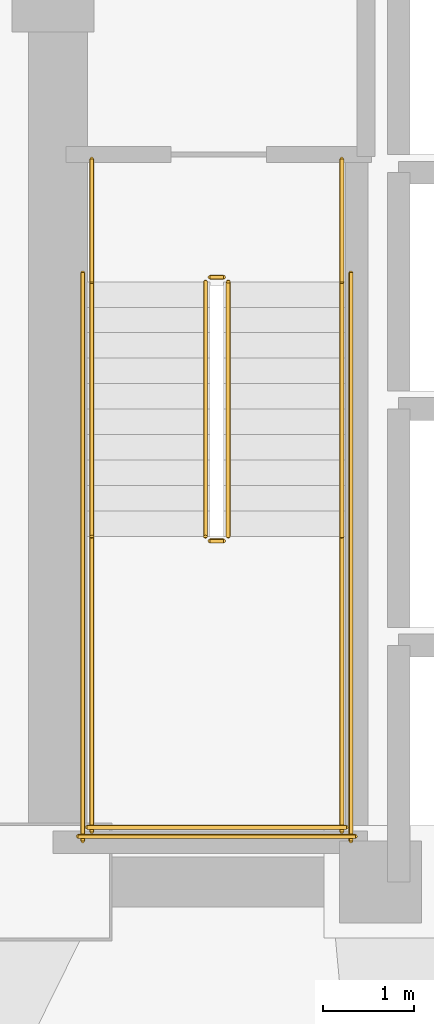
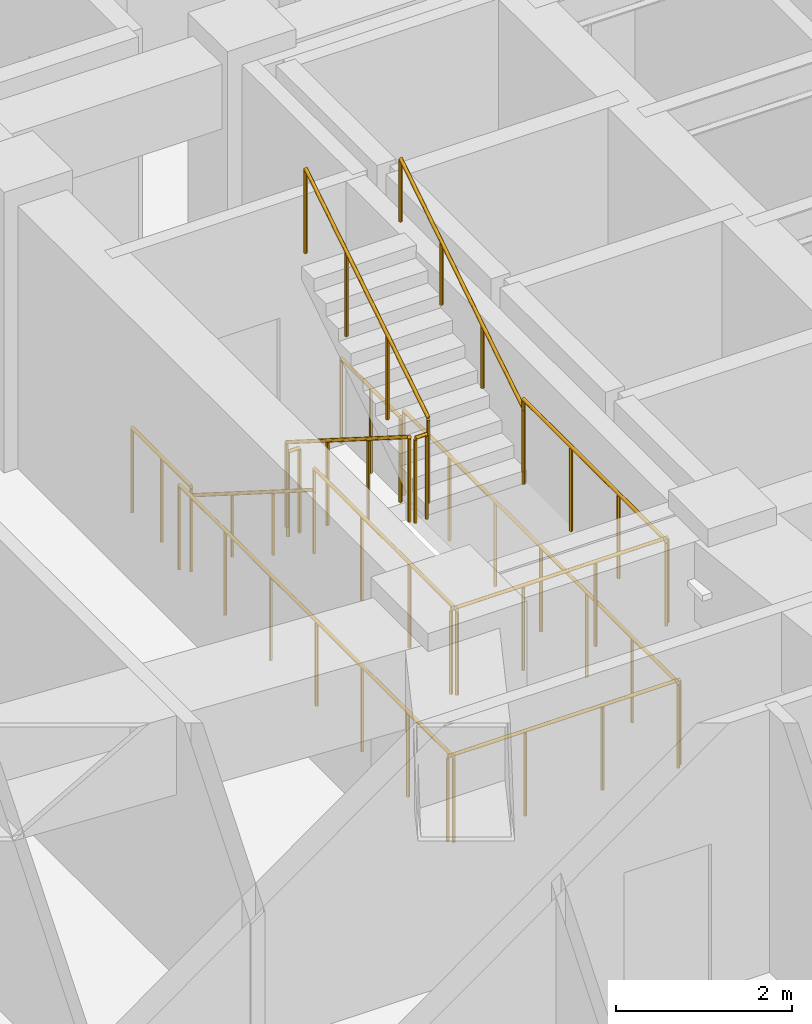
# One storey, part 15 of 16: 14 railings.
"""IFC4 building model written with IfcOpenShell, lengths in metres."""

from ifc_helpers import new_model, si_unit, direction, frame, origin, origin_2d, place, context, subcontext, project, spatial, circle, extrude, material, type_object, element, save


model = new_model("IFC4")

# Units and contexts
model_context = context("Model", 3, precision=1e-05, world=origin(), true_north=direction((0.0, 1.0)))
body_context = subcontext(model_context, "Body", "Model", "MODEL_VIEW")
ifc_project = project(units=[si_unit("LENGTHUNIT", "METRE"), si_unit("AREAUNIT", "SQUARE_METRE"), si_unit("VOLUMEUNIT", "CUBIC_METRE"), si_unit("PLANEANGLEUNIT", "RADIAN"), si_unit("MASSUNIT", "GRAM", prefix="KILO")], contexts=[model_context])

# Site, building, storey
site_placement = place(None, origin())
site = spatial("IfcSite", under=ifc_project, at=site_placement, CompositionType="ELEMENT")
building_placement = place(site_placement, origin())
building = spatial("IfcBuilding", under=site, at=building_placement, Name="Voryun Gate Residences", CompositionType="ELEMENT")
storey_placement = place(building_placement, frame((0.0, 0.0, 89.699951171875)))
storey = spatial("IfcBuildingStorey", under=building, at=storey_placement, Name="L21", CompositionType="ELEMENT", Elevation=89.699951171875)

# Railings
ifc_material_1 = material(Name="Painted steel", Category="steel")
railing_type_1 = type_object("IfcRailingType", Name="RAIL_STAIR_GUARD_1200", PredefinedType="GUARDRAIL", material=ifc_material_1)
railing_1_placement = place(storey_placement, frame((-17.52490234375, -0.800048828125, 0.17724609375)))
element("IfcRailing", 1, at=railing_1_placement, inside=storey, type_object=railing_type_1, Name="L21 ST-W1 stair guard 1", PredefinedType="GUARDRAIL", context=body_context, shape_type="SweptSolid", body=[
    extrude(circle(Radius=0.02392578125, at=origin_2d()), frame((0.0, 0.0, 1.17578125), z_axis=(0.0, -0.844908973607, 0.534910110503), x_axis=(1.0, 0.0, 0.0)), (0.0, 0.0, 1.0), 3.31396484375),
    extrude(circle(Radius=0.02099609375, at=origin_2d()), origin(), (0.0, 0.0, 1.0), 1.15185546875),
    extrude(circle(Radius=0.02099609375, at=origin_2d()), frame((0.0, -0.933349609375, 0.5908203125)), (0.0, 0.0, 1.0), 1.15185546875),
    extrude(circle(Radius=0.02099609375, at=origin_2d()), frame((0.0, -1.86669921875, 1.181884765625)), (0.0, 0.0, 1.0), 1.15185546875),
    extrude(circle(Radius=0.02099609375, at=origin_2d()), frame((0.0, -2.800048828125, 1.772705078125)), (0.0, 0.0, 1.0), 1.15185546875),
])
railing_2_placement = place(storey_placement, frame((-17.47509765625, -3.64990234375, 1.949951171875)))
element("IfcRailing", 2, at=railing_2_placement, inside=storey, type_object=railing_type_1, Name="L21 ST-W1 stair guard 2", PredefinedType="GUARDRAIL", context=body_context, shape_type="SweptSolid", body=[
    extrude(circle(Radius=0.02392578125, at=origin_2d()), frame((0.0, 0.0, 1.17578125), z_axis=(1.0, 0.0, 0.0), x_axis=(0.0, 1.0, 0.0)), (0.0, 0.0, 1.0), 0.150146484375),
    extrude(circle(Radius=0.02099609375, at=origin_2d()), origin(), (0.0, 0.0, 1.0), 1.15185546875),
    extrude(circle(Radius=0.02099609375, at=origin_2d()), frame((0.150146484375, 0.0, 0.0)), (0.0, 0.0, 1.0), 1.15185546875),
])
for number, where, name in (
    (3, (-18.77490234375, -3.60009765625, 1.949951171875), "L21 ST-W1 stair guard 3"),
    (4, (-16.02490234375, -3.60009765625, 1.949951171875), "L21 ST-W1 stair guard 4"),
):
    element("IfcRailing", number, at=place(storey_placement, frame(where)), inside=storey, type_object=railing_type_1, Name=name, PredefinedType="GUARDRAIL", context=body_context, shape_type="SweptSolid", body=[
        extrude(circle(Radius=0.02392578125, at=origin_2d()), frame((0.0, 0.0, 1.17578125), z_axis=(0.0, -1.0, 0.0), x_axis=(1.0, 0.0, 0.0)), (0.0, 0.0, 1.0), 3.25),
        extrude(circle(Radius=0.02099609375, at=origin_2d()), origin(), (0.0, 0.0, 1.0), 1.15185546875),
        extrude(circle(Radius=0.02099609375, at=origin_2d()), frame((0.0, -1.083251953125, 0.0)), (0.0, 0.0, 1.0), 1.15185546875),
        extrude(circle(Radius=0.02099609375, at=origin_2d()), frame((0.0, -2.166748046875, 0.0)), (0.0, 0.0, 1.0), 1.15185546875),
        extrude(circle(Radius=0.02099609375, at=origin_2d()), frame((0.0, -3.25, 0.0)), (0.0, 0.0, 1.0), 1.15185546875),
    ])
railing_3_placement = place(storey_placement, frame((-18.824951171875, -6.800048828125, 1.949951171875)))
element("IfcRailing", 5, at=railing_3_placement, inside=storey, type_object=railing_type_1, Name="L21 ST-W1 stair guard 5", PredefinedType="GUARDRAIL", context=body_context, shape_type="SweptSolid", body=[
    extrude(circle(Radius=0.02392578125, at=origin_2d()), frame((0.0, 0.0, 1.17578125), z_axis=(1.0, 0.0, 0.0), x_axis=(0.0, 1.0, 0.0)), (0.0, 0.0, 1.0), 2.849853515625),
    extrude(circle(Radius=0.02099609375, at=origin_2d()), origin(), (0.0, 0.0, 1.0), 1.15185546875),
    extrude(circle(Radius=0.02099609375, at=origin_2d()), frame((0.949951171875, 0.0, 0.0)), (0.0, 0.0, 1.0), 1.15185546875),
    extrude(circle(Radius=0.02099609375, at=origin_2d()), frame((1.89990234375, 0.0, 0.0)), (0.0, 0.0, 1.0), 1.15185546875),
    extrude(circle(Radius=0.02099609375, at=origin_2d()), frame((2.849853515625, 0.0, 0.0)), (0.0, 0.0, 1.0), 1.15185546875),
])
railing_4_placement = place(storey_placement, frame((-17.27490234375, -3.60009765625, 2.12744140625)))
element("IfcRailing", 6, at=railing_4_placement, inside=storey, type_object=railing_type_1, Name="L21 ST-W1 stair guard 6", PredefinedType="GUARDRAIL", context=body_context, shape_type="SweptSolid", body=[
    extrude(circle(Radius=0.02392578125, at=origin_2d()), frame((0.0, 0.0, 1.17578125), z_axis=(0.0, 0.844908973607, 0.534910110503), x_axis=(-1.0, 0.0, 0.0)), (0.0, 0.0, 1.0), 3.31396484375),
    extrude(circle(Radius=0.02099609375, at=origin_2d()), origin(), (0.0, 0.0, 1.0), 1.15185546875),
    extrude(circle(Radius=0.02099609375, at=origin_2d()), frame((0.0, 0.933349609375, 0.5908203125)), (0.0, 0.0, 1.0), 1.15185546875),
    extrude(circle(Radius=0.02099609375, at=origin_2d()), frame((0.0, 1.86669921875, 1.181884765625)), (0.0, 0.0, 1.0), 1.15185546875),
    extrude(circle(Radius=0.02099609375, at=origin_2d()), frame((0.0, 2.800048828125, 1.772705078125)), (0.0, 0.0, 1.0), 1.15185546875),
])
railing_5_placement = place(storey_placement, frame((-17.47509765625, -0.75, 0.0)))
element("IfcRailing", 7, at=railing_5_placement, inside=storey, type_object=railing_type_1, Name="L21 ST-W1 stair guard 7", PredefinedType="GUARDRAIL", context=body_context, shape_type="SweptSolid", body=[
    extrude(circle(Radius=0.02392578125, at=origin_2d()), frame((0.0, 0.0, 1.17578125), z_axis=(1.0, 0.0, 0.0), x_axis=(0.0, 1.0, 0.0)), (0.0, 0.0, 1.0), 0.150146484375),
    extrude(circle(Radius=0.02099609375, at=origin_2d()), origin(), (0.0, 0.0, 1.0), 1.15185546875),
    extrude(circle(Radius=0.02099609375, at=origin_2d()), frame((0.150146484375, 0.0, 0.0)), (0.0, 0.0, 1.0), 1.15185546875),
])
for number, where, name in (
    (8, (-18.77490234375, 0.550048828125, 0.0), "L21 ST-W1 stair guard 8"),
    (9, (-16.02490234375, 0.550048828125, 0.0), "L21 ST-W1 stair guard 9"),
):
    element("IfcRailing", number, at=place(storey_placement, frame(where)), inside=storey, type_object=railing_type_1, Name=name, PredefinedType="GUARDRAIL", context=body_context, shape_type="SweptSolid", body=[
        extrude(circle(Radius=0.02392578125, at=origin_2d()), frame((0.0, 0.0, 1.17578125), z_axis=(0.0, -1.0, 0.0), x_axis=(1.0, 0.0, 0.0)), (0.0, 0.0, 1.0), 1.35009765625),
        extrude(circle(Radius=0.02099609375, at=origin_2d()), origin(), (0.0, 0.0, 1.0), 1.15185546875),
        extrude(circle(Radius=0.02099609375, at=origin_2d()), frame((0.0, -0.675048828125, 0.0)), (0.0, 0.0, 1.0), 1.15185546875),
        extrude(circle(Radius=0.02099609375, at=origin_2d()), frame((0.0, -1.35009765625, 0.0)), (0.0, 0.0, 1.0), 1.15185546875),
    ])
for number, where, name in (
    (10, (-18.875, -0.699951171875, 0.0), "L21 ST-W1 stair guard 10"),
    (11, (-15.925048828125, -0.699951171875, 0.0), "L21 ST-W1 stair guard 11"),
):
    element("IfcRailing", number, at=place(storey_placement, frame(where)), inside=storey, type_object=railing_type_1, Name=name, PredefinedType="GUARDRAIL", context=body_context, shape_type="SweptSolid", body=[
        extrude(circle(Radius=0.02392578125, at=origin_2d()), frame((0.0, 0.0, 1.17578125), z_axis=(0.0, -1.0, 0.0), x_axis=(1.0, 0.0, 0.0)), (0.0, 0.0, 1.0), 6.25),
        extrude(circle(Radius=0.02099609375, at=origin_2d()), origin(), (0.0, 0.0, 1.0), 1.15185546875),
        extrude(circle(Radius=0.02099609375, at=origin_2d()), frame((0.0, -1.041748046875, 0.0)), (0.0, 0.0, 1.0), 1.15185546875),
        extrude(circle(Radius=0.02099609375, at=origin_2d()), frame((0.0, -2.083251953125, 0.0)), (0.0, 0.0, 1.0), 1.15185546875),
        extrude(circle(Radius=0.02099609375, at=origin_2d()), frame((0.0, -3.125, 0.0)), (0.0, 0.0, 1.0), 1.15185546875),
        extrude(circle(Radius=0.02099609375, at=origin_2d()), frame((0.0, -4.166748046875, 0.0)), (0.0, 0.0, 1.0), 1.15185546875),
        extrude(circle(Radius=0.02099609375, at=origin_2d()), frame((0.0, -5.208251953125, 0.0)), (0.0, 0.0, 1.0), 1.15185546875),
        extrude(circle(Radius=0.02099609375, at=origin_2d()), frame((0.0, -6.25, 0.0)), (0.0, 0.0, 1.0), 1.15185546875),
    ])
railing_6_placement = place(storey_placement, frame((-18.925048828125, -6.89990234375, 0.0)))
element("IfcRailing", 12, at=railing_6_placement, inside=storey, type_object=railing_type_1, Name="L21 ST-W1 stair guard 12", PredefinedType="GUARDRAIL", context=body_context, shape_type="SweptSolid", body=[
    extrude(circle(Radius=0.02392578125, at=origin_2d()), frame((0.0, 0.0, 1.17578125), z_axis=(1.0, 0.0, 0.0), x_axis=(0.0, 1.0, 0.0)), (0.0, 0.0, 1.0), 3.050048828125),
    extrude(circle(Radius=0.02099609375, at=origin_2d()), origin(), (0.0, 0.0, 1.0), 1.15185546875),
    extrude(circle(Radius=0.02099609375, at=origin_2d()), frame((1.0166015625, 0.0, 0.0)), (0.0, 0.0, 1.0), 1.15185546875),
    extrude(circle(Radius=0.02099609375, at=origin_2d()), frame((2.033447265625, 0.0, 0.0)), (0.0, 0.0, 1.0), 1.15185546875),
    extrude(circle(Radius=0.02099609375, at=origin_2d()), frame((3.050048828125, 0.0, 0.0)), (0.0, 0.0, 1.0), 1.15185546875),
])
ifc_material_2 = material(Name="Painted steel", Category="steel")
railing_type_2 = type_object("IfcRailingType", Name="RAIL_STAIR_HANDRAIL_900", PredefinedType="HANDRAIL", material=ifc_material_2)
railing_7_placement = place(storey_placement, frame((-18.77490234375, -0.800048828125, 0.17724609375)))
element("IfcRailing", 13, at=railing_7_placement, inside=storey, type_object=railing_type_2, Name="L21 ST-W1 stair handrail 1", PredefinedType="HANDRAIL", context=body_context, shape_type="SweptSolid", body=[
    extrude(circle(Radius=0.02392578125, at=origin_2d()), frame((0.0, 0.0, 0.8759765625), z_axis=(0.0, -0.844908973607, 0.534910110503), x_axis=(1.0, 0.0, 0.0)), (0.0, 0.0, 1.0), 3.31396484375),
    extrude(circle(Radius=0.02099609375, at=origin_2d()), origin(), (0.0, 0.0, 1.0), 0.851806640625),
    extrude(circle(Radius=0.02099609375, at=origin_2d()), frame((0.0, -0.933349609375, 0.5908203125)), (0.0, 0.0, 1.0), 0.851806640625),
    extrude(circle(Radius=0.02099609375, at=origin_2d()), frame((0.0, -1.86669921875, 1.181884765625)), (0.0, 0.0, 1.0), 0.851806640625),
    extrude(circle(Radius=0.02099609375, at=origin_2d()), frame((0.0, -2.800048828125, 1.772705078125)), (0.0, 0.0, 1.0), 0.851806640625),
])
railing_8_placement = place(storey_placement, frame((-16.02490234375, -3.60009765625, 2.12744140625)))
element("IfcRailing", 14, at=railing_8_placement, inside=storey, type_object=railing_type_2, Name="L21 ST-W1 stair handrail 2", PredefinedType="HANDRAIL", context=body_context, shape_type="SweptSolid", body=[
    extrude(circle(Radius=0.02392578125, at=origin_2d()), frame((0.0, 0.0, 0.8759765625), z_axis=(0.0, 0.844908973607, 0.534910110503), x_axis=(-1.0, 0.0, 0.0)), (0.0, 0.0, 1.0), 3.31396484375),
    extrude(circle(Radius=0.02099609375, at=origin_2d()), origin(), (0.0, 0.0, 1.0), 0.851806640625),
    extrude(circle(Radius=0.02099609375, at=origin_2d()), frame((0.0, 0.933349609375, 0.5908203125)), (0.0, 0.0, 1.0), 0.851806640625),
    extrude(circle(Radius=0.02099609375, at=origin_2d()), frame((0.0, 1.86669921875, 1.181884765625)), (0.0, 0.0, 1.0), 0.851806640625),
    extrude(circle(Radius=0.02099609375, at=origin_2d()), frame((0.0, 2.800048828125, 1.772705078125)), (0.0, 0.0, 1.0), 0.851806640625),
])

save(model, "model.ifc")
